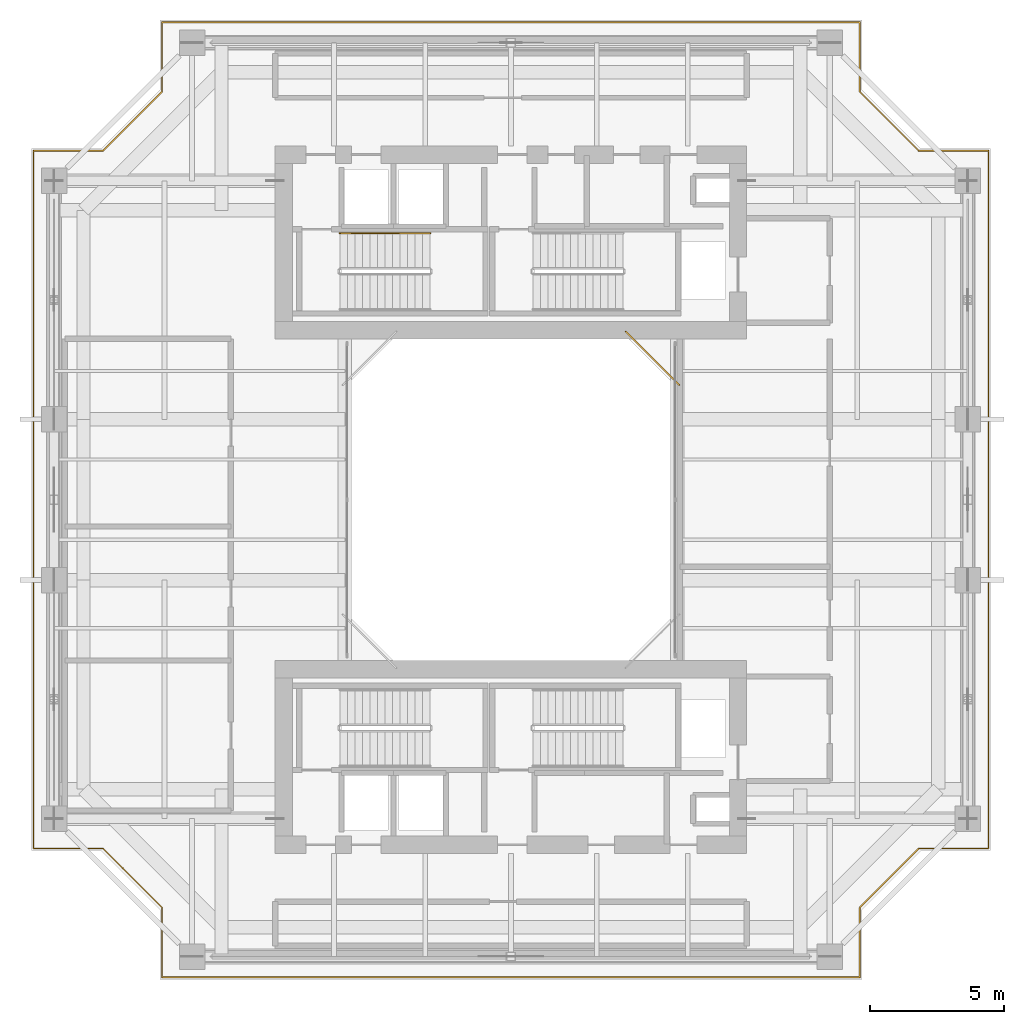
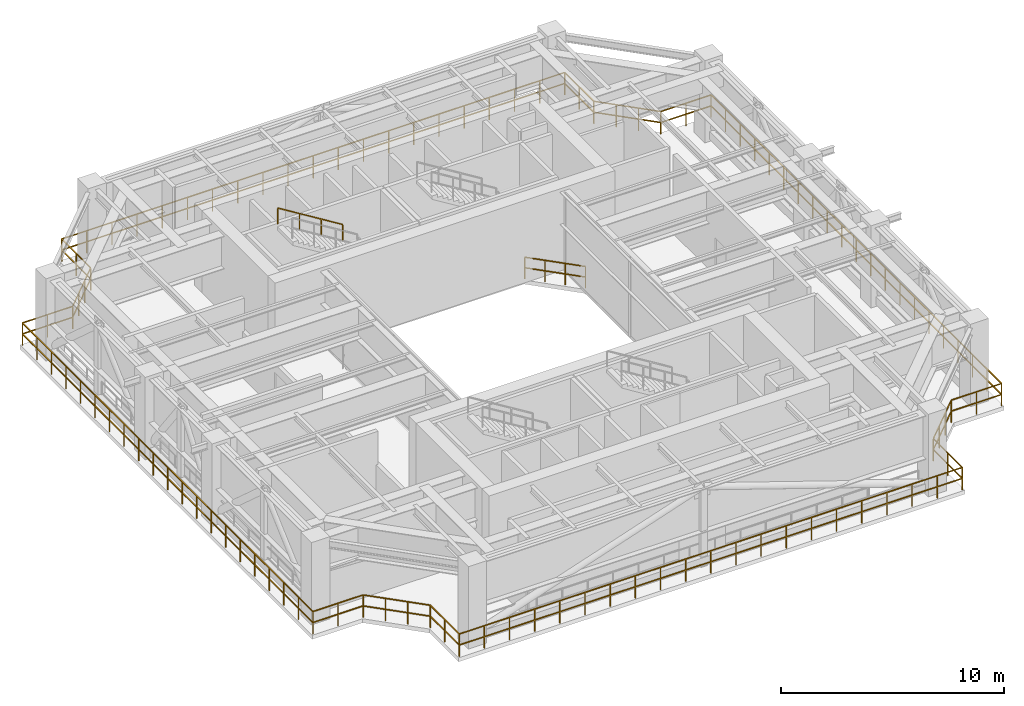
# One storey, part 10 of 11: 3 railings.
"""IFC4 building model written with IfcOpenShell, lengths in metres."""

from ifc_helpers import new_model, si_unit, direction, frame, origin, origin_2d, place, context, subcontext, project, spatial, rectangle, extrude, material, type_object, element, save


model = new_model("IFC4")

# Units and contexts
model_context = context("Model", 3, precision=1e-05, world=origin(), true_north=direction((0.0, 1.0)))
body_context = subcontext(model_context, "Body", "Model", "MODEL_VIEW")
ifc_project = project(units=[si_unit("LENGTHUNIT", "METRE"), si_unit("AREAUNIT", "SQUARE_METRE"), si_unit("VOLUMEUNIT", "CUBIC_METRE"), si_unit("PLANEANGLEUNIT", "RADIAN"), si_unit("MASSUNIT", "GRAM", prefix="KILO"), si_unit("THERMODYNAMICTEMPERATUREUNIT", "KELVIN"), si_unit("POWERUNIT", "WATT")], contexts=[model_context])

# Site, building, storey
site_placement = place(None, origin())
site = spatial("IfcSite", under=ifc_project, at=site_placement, CompositionType="ELEMENT")
building_placement = place(site_placement, origin())
building = spatial("IfcBuilding", under=site, at=building_placement, Name="Qiaomeng Ring Towers", CompositionType="ELEMENT")
storey_placement = place(building_placement, frame((0.0, 0.0, 186.0)))
storey = spatial("IfcBuildingStorey", under=building, at=storey_placement, Name="L54", CompositionType="ELEMENT", Elevation=186.0)

# Railings
ifc_material_1 = material(Name="Low-E pale-green laminated safety glass", Category="glass")
railing_type_1 = type_object("IfcRailingType", Name="ARC-RL-BAL1", PredefinedType="BALUSTRADE", material=ifc_material_1)
railing_1_placement = place(storey_placement, frame((25.280029296875, 27.280029296875, 0.0)))
element("IfcRailing", 1, at=railing_1_placement, inside=storey, type_object=railing_type_1, Name="L54 Balustrade ARC-BAL-WELL1-L54-2", PredefinedType="BALUSTRADE", context=body_context, shape_type="SweptSolid", body=[
    extrude(rectangle(XDim=0.048095703125, YDim=0.048095703125, at=origin_2d()), frame((0.0, 0.0, 1.17578125), z_axis=(-0.707106781187, 0.707106781187, 0.0), x_axis=(-0.707106781187, -0.707106781187, 0.0)), (0.0, 0.0, 1.0), 2.828369140625),
    extrude(rectangle(XDim=0.048095703125, YDim=0.048095703125, at=origin_2d()), frame((0.0, 0.0, 0.60009765625), z_axis=(-0.707106781187, 0.707106781187, 0.0), x_axis=(-0.707106781187, -0.707106781187, 0.0)), (0.0, 0.0, 1.0), 2.828369140625),
    extrude(rectangle(XDim=0.0419921875, YDim=0.0419921875, at=origin_2d()), origin(), (0.0, 0.0, 1.0), 1.15185546875),
    extrude(rectangle(XDim=0.0419921875, YDim=0.0419921875, at=origin_2d()), frame((-0.666748046875, 0.666748046875, 0.0)), (0.0, 0.0, 1.0), 1.15185546875),
    extrude(rectangle(XDim=0.0419921875, YDim=0.0419921875, at=origin_2d()), frame((-1.333251953125, 1.333251953125, 0.0)), (0.0, 0.0, 1.0), 1.15185546875),
    extrude(rectangle(XDim=0.0419921875, YDim=0.0419921875, at=origin_2d()), frame((-2.0, 2.0, 0.0)), (0.0, 0.0, 1.0), 1.15185546875),
])
ifc_material_2 = material(Name="Stainless steel 316", Category="steel")
railing_type_2 = type_object("IfcRailingType", Name="ARC-RL-BAL2", PredefinedType="BALUSTRADE", material=ifc_material_2)
railing_2_placement = place(storey_placement, frame((5.97998046875, 5.179931640625, 0.0)))
element("IfcRailing", 2, at=railing_2_placement, inside=storey, type_object=railing_type_2, Name="L54 Balustrade ARC-BAL-REF-RING-L54", PredefinedType="BALUSTRADE", context=body_context, shape_type="SweptSolid", body=[
    extrude(rectangle(XDim=0.048095703125, YDim=0.048095703125, at=origin_2d()), frame((0.0, 0.0, 1.22607421875), z_axis=(1.0, 0.0, 0.0), x_axis=(0.0, 1.0, 0.0)), (0.0, 0.0, 1.0), 26.0400390625),
    extrude(rectangle(XDim=0.048095703125, YDim=0.048095703125, at=origin_2d()), frame((0.0, 0.0, 0.625), z_axis=(1.0, 0.0, 0.0), x_axis=(0.0, 1.0, 0.0)), (0.0, 0.0, 1.0), 26.0400390625),
    extrude(rectangle(XDim=0.048095703125, YDim=0.048095703125, at=origin_2d()), frame((26.0400390625, 0.0, 1.22607421875), z_axis=(0.0, 1.0, 0.0), x_axis=(-1.0, 0.0, 0.0)), (0.0, 0.0, 1.0), 2.60009765625),
    extrude(rectangle(XDim=0.048095703125, YDim=0.048095703125, at=origin_2d()), frame((26.0400390625, 0.0, 0.625), z_axis=(0.0, 1.0, 0.0), x_axis=(-1.0, 0.0, 0.0)), (0.0, 0.0, 1.0), 2.60009765625),
    extrude(rectangle(XDim=0.048095703125, YDim=0.048095703125, at=origin_2d()), frame((26.0400390625, 2.60009765625, 1.22607421875), z_axis=(0.707106781187, 0.707106781187, 0.0), x_axis=(-0.707106781187, 0.707106781187, 0.0)), (0.0, 0.0, 1.0), 3.111083984375),
    extrude(rectangle(XDim=0.048095703125, YDim=0.048095703125, at=origin_2d()), frame((26.0400390625, 2.60009765625, 0.625), z_axis=(0.707106781187, 0.707106781187, 0.0), x_axis=(-0.707106781187, 0.707106781187, 0.0)), (0.0, 0.0, 1.0), 3.111083984375),
    extrude(rectangle(XDim=0.048095703125, YDim=0.048095703125, at=origin_2d()), frame((28.239990234375, 4.800048828125, 1.22607421875), z_axis=(1.0, 0.0, 0.0), x_axis=(0.0, 1.0, 0.0)), (0.0, 0.0, 1.0), 2.60009765625),
    extrude(rectangle(XDim=0.048095703125, YDim=0.048095703125, at=origin_2d()), frame((28.239990234375, 4.800048828125, 0.625), z_axis=(1.0, 0.0, 0.0), x_axis=(0.0, 1.0, 0.0)), (0.0, 0.0, 1.0), 2.60009765625),
    extrude(rectangle(XDim=0.048095703125, YDim=0.048095703125, at=origin_2d()), frame((30.840087890625, 4.800048828125, 1.22607421875), z_axis=(0.0, 1.0, 0.0), x_axis=(-1.0, 0.0, 0.0)), (0.0, 0.0, 1.0), 26.0400390625),
    extrude(rectangle(XDim=0.048095703125, YDim=0.048095703125, at=origin_2d()), frame((30.840087890625, 4.800048828125, 0.625), z_axis=(0.0, 1.0, 0.0), x_axis=(-1.0, 0.0, 0.0)), (0.0, 0.0, 1.0), 26.0400390625),
    extrude(rectangle(XDim=0.048095703125, YDim=0.048095703125, at=origin_2d()), frame((30.840087890625, 30.840087890625, 1.22607421875), z_axis=(-1.0, 0.0, 0.0), x_axis=(0.0, -1.0, 0.0)), (0.0, 0.0, 1.0), 2.60009765625),
    extrude(rectangle(XDim=0.048095703125, YDim=0.048095703125, at=origin_2d()), frame((30.840087890625, 30.840087890625, 0.625), z_axis=(-1.0, 0.0, 0.0), x_axis=(0.0, -1.0, 0.0)), (0.0, 0.0, 1.0), 2.60009765625),
    extrude(rectangle(XDim=0.048095703125, YDim=0.048095703125, at=origin_2d()), frame((28.239990234375, 30.840087890625, 1.22607421875), z_axis=(-0.707106781187, 0.707106781187, 0.0), x_axis=(-0.707106781187, -0.707106781187, 0.0)), (0.0, 0.0, 1.0), 3.111083984375),
    extrude(rectangle(XDim=0.048095703125, YDim=0.048095703125, at=origin_2d()), frame((28.239990234375, 30.840087890625, 0.625), z_axis=(-0.707106781187, 0.707106781187, 0.0), x_axis=(-0.707106781187, -0.707106781187, 0.0)), (0.0, 0.0, 1.0), 3.111083984375),
    extrude(rectangle(XDim=0.048095703125, YDim=0.048095703125, at=origin_2d()), frame((26.0400390625, 33.0400390625, 1.22607421875), z_axis=(0.0, 1.0, 0.0), x_axis=(-1.0, 0.0, 0.0)), (0.0, 0.0, 1.0), 2.60009765625),
    extrude(rectangle(XDim=0.048095703125, YDim=0.048095703125, at=origin_2d()), frame((26.0400390625, 33.0400390625, 0.625), z_axis=(0.0, 1.0, 0.0), x_axis=(-1.0, 0.0, 0.0)), (0.0, 0.0, 1.0), 2.60009765625),
    extrude(rectangle(XDim=0.048095703125, YDim=0.048095703125, at=origin_2d()), frame((26.0400390625, 35.64013671875, 1.22607421875), z_axis=(-1.0, 0.0, 0.0), x_axis=(0.0, -1.0, 0.0)), (0.0, 0.0, 1.0), 26.0400390625),
    extrude(rectangle(XDim=0.048095703125, YDim=0.048095703125, at=origin_2d()), frame((26.0400390625, 35.64013671875, 0.625), z_axis=(-1.0, 0.0, 0.0), x_axis=(0.0, -1.0, 0.0)), (0.0, 0.0, 1.0), 26.0400390625),
    extrude(rectangle(XDim=0.048095703125, YDim=0.048095703125, at=origin_2d()), frame((0.0, 35.64013671875, 1.22607421875), z_axis=(0.0, -1.0, 0.0), x_axis=(1.0, 0.0, 0.0)), (0.0, 0.0, 1.0), 2.60009765625),
    extrude(rectangle(XDim=0.048095703125, YDim=0.048095703125, at=origin_2d()), frame((0.0, 35.64013671875, 0.625), z_axis=(0.0, -1.0, 0.0), x_axis=(1.0, 0.0, 0.0)), (0.0, 0.0, 1.0), 2.60009765625),
    extrude(rectangle(XDim=0.048095703125, YDim=0.048095703125, at=origin_2d()), frame((0.0, 33.0400390625, 1.22607421875), z_axis=(-0.707106781187, -0.707106781187, 0.0), x_axis=(0.707106781187, -0.707106781187, 0.0)), (0.0, 0.0, 1.0), 3.111083984375),
    extrude(rectangle(XDim=0.048095703125, YDim=0.048095703125, at=origin_2d()), frame((0.0, 33.0400390625, 0.625), z_axis=(-0.707106781187, -0.707106781187, 0.0), x_axis=(0.707106781187, -0.707106781187, 0.0)), (0.0, 0.0, 1.0), 3.111083984375),
    extrude(rectangle(XDim=0.048095703125, YDim=0.048095703125, at=origin_2d()), frame((-2.199951171875, 30.840087890625, 1.22607421875), z_axis=(-1.0, 0.0, 0.0), x_axis=(0.0, -1.0, 0.0)), (0.0, 0.0, 1.0), 2.60009765625),
    extrude(rectangle(XDim=0.048095703125, YDim=0.048095703125, at=origin_2d()), frame((-2.199951171875, 30.840087890625, 0.625), z_axis=(-1.0, 0.0, 0.0), x_axis=(0.0, -1.0, 0.0)), (0.0, 0.0, 1.0), 2.60009765625),
    extrude(rectangle(XDim=0.048095703125, YDim=0.048095703125, at=origin_2d()), frame((-4.800048828125, 30.840087890625, 1.22607421875), z_axis=(0.0, -1.0, 0.0), x_axis=(1.0, 0.0, 0.0)), (0.0, 0.0, 1.0), 26.0400390625),
    extrude(rectangle(XDim=0.048095703125, YDim=0.048095703125, at=origin_2d()), frame((-4.800048828125, 30.840087890625, 0.625), z_axis=(0.0, -1.0, 0.0), x_axis=(1.0, 0.0, 0.0)), (0.0, 0.0, 1.0), 26.0400390625),
    extrude(rectangle(XDim=0.048095703125, YDim=0.048095703125, at=origin_2d()), frame((-4.800048828125, 4.800048828125, 1.22607421875), z_axis=(1.0, 0.0, 0.0), x_axis=(0.0, 1.0, 0.0)), (0.0, 0.0, 1.0), 2.60009765625),
    extrude(rectangle(XDim=0.048095703125, YDim=0.048095703125, at=origin_2d()), frame((-4.800048828125, 4.800048828125, 0.625), z_axis=(1.0, 0.0, 0.0), x_axis=(0.0, 1.0, 0.0)), (0.0, 0.0, 1.0), 2.60009765625),
    extrude(rectangle(XDim=0.048095703125, YDim=0.048095703125, at=origin_2d()), frame((-2.199951171875, 4.800048828125, 1.22607421875), z_axis=(0.707106781187, -0.707106781187, 0.0), x_axis=(0.707106781187, 0.707106781187, 0.0)), (0.0, 0.0, 1.0), 3.111083984375),
    extrude(rectangle(XDim=0.048095703125, YDim=0.048095703125, at=origin_2d()), frame((-2.199951171875, 4.800048828125, 0.625), z_axis=(0.707106781187, -0.707106781187, 0.0), x_axis=(0.707106781187, 0.707106781187, 0.0)), (0.0, 0.0, 1.0), 3.111083984375),
    extrude(rectangle(XDim=0.048095703125, YDim=0.048095703125, at=origin_2d()), frame((0.0, 2.60009765625, 1.22607421875), z_axis=(0.0, -1.0, 0.0), x_axis=(1.0, 0.0, 0.0)), (0.0, 0.0, 1.0), 2.60009765625),
    extrude(rectangle(XDim=0.048095703125, YDim=0.048095703125, at=origin_2d()), frame((0.0, 2.60009765625, 0.625), z_axis=(0.0, -1.0, 0.0), x_axis=(1.0, 0.0, 0.0)), (0.0, 0.0, 1.0), 2.60009765625),
    extrude(rectangle(XDim=0.0419921875, YDim=0.0419921875, at=origin_2d()), origin(), (0.0, 0.0, 1.0), 1.201904296875),
    extrude(rectangle(XDim=0.0419921875, YDim=0.0419921875, at=origin_2d()), frame((1.302001953125, 0.0, 0.0)), (0.0, 0.0, 1.0), 1.201904296875),
    extrude(rectangle(XDim=0.0419921875, YDim=0.0419921875, at=origin_2d()), frame((2.60400390625, 0.0, 0.0)), (0.0, 0.0, 1.0), 1.201904296875),
    extrude(rectangle(XDim=0.0419921875, YDim=0.0419921875, at=origin_2d()), frame((3.906005859375, 0.0, 0.0)), (0.0, 0.0, 1.0), 1.201904296875),
    extrude(rectangle(XDim=0.0419921875, YDim=0.0419921875, at=origin_2d()), frame((5.2080078125, 0.0, 0.0)), (0.0, 0.0, 1.0), 1.201904296875),
    extrude(rectangle(XDim=0.0419921875, YDim=0.0419921875, at=origin_2d()), frame((6.510009765625, 0.0, 0.0)), (0.0, 0.0, 1.0), 1.201904296875),
    extrude(rectangle(XDim=0.0419921875, YDim=0.0419921875, at=origin_2d()), frame((7.81201171875, 0.0, 0.0)), (0.0, 0.0, 1.0), 1.201904296875),
    extrude(rectangle(XDim=0.0419921875, YDim=0.0419921875, at=origin_2d()), frame((9.114013671875, 0.0, 0.0)), (0.0, 0.0, 1.0), 1.201904296875),
    extrude(rectangle(XDim=0.0419921875, YDim=0.0419921875, at=origin_2d()), frame((10.416015625, 0.0, 0.0)), (0.0, 0.0, 1.0), 1.201904296875),
    extrude(rectangle(XDim=0.0419921875, YDim=0.0419921875, at=origin_2d()), frame((11.718017578125, 0.0, 0.0)), (0.0, 0.0, 1.0), 1.201904296875),
    extrude(rectangle(XDim=0.0419921875, YDim=0.0419921875, at=origin_2d()), frame((13.02001953125, 0.0, 0.0)), (0.0, 0.0, 1.0), 1.201904296875),
    extrude(rectangle(XDim=0.0419921875, YDim=0.0419921875, at=origin_2d()), frame((14.322021484375, 0.0, 0.0)), (0.0, 0.0, 1.0), 1.201904296875),
    extrude(rectangle(XDim=0.0419921875, YDim=0.0419921875, at=origin_2d()), frame((15.6240234375, 0.0, 0.0)), (0.0, 0.0, 1.0), 1.201904296875),
    extrude(rectangle(XDim=0.0419921875, YDim=0.0419921875, at=origin_2d()), frame((16.926025390625, 0.0, 0.0)), (0.0, 0.0, 1.0), 1.201904296875),
    extrude(rectangle(XDim=0.0419921875, YDim=0.0419921875, at=origin_2d()), frame((18.22802734375, 0.0, 0.0)), (0.0, 0.0, 1.0), 1.201904296875),
    extrude(rectangle(XDim=0.0419921875, YDim=0.0419921875, at=origin_2d()), frame((19.530029296875, 0.0, 0.0)), (0.0, 0.0, 1.0), 1.201904296875),
    extrude(rectangle(XDim=0.0419921875, YDim=0.0419921875, at=origin_2d()), frame((20.83203125, 0.0, 0.0)), (0.0, 0.0, 1.0), 1.201904296875),
    extrude(rectangle(XDim=0.0419921875, YDim=0.0419921875, at=origin_2d()), frame((22.134033203125, 0.0, 0.0)), (0.0, 0.0, 1.0), 1.201904296875),
    extrude(rectangle(XDim=0.0419921875, YDim=0.0419921875, at=origin_2d()), frame((23.43603515625, 0.0, 0.0)), (0.0, 0.0, 1.0), 1.201904296875),
    extrude(rectangle(XDim=0.0419921875, YDim=0.0419921875, at=origin_2d()), frame((24.738037109375, 0.0, 0.0)), (0.0, 0.0, 1.0), 1.201904296875),
    extrude(rectangle(XDim=0.0419921875, YDim=0.0419921875, at=origin_2d()), frame((26.0400390625, 0.0, 0.0)), (0.0, 0.0, 1.0), 1.201904296875),
    extrude(rectangle(XDim=0.0419921875, YDim=0.0419921875, at=origin_2d()), frame((26.0400390625, 1.300048828125, 0.0)), (0.0, 0.0, 1.0), 1.201904296875),
    extrude(rectangle(XDim=0.0419921875, YDim=0.0419921875, at=origin_2d()), frame((26.0400390625, 2.60009765625, 0.0)), (0.0, 0.0, 1.0), 1.201904296875),
    extrude(rectangle(XDim=0.0419921875, YDim=0.0419921875, at=origin_2d()), frame((26.7734375, 3.33349609375, 0.0)), (0.0, 0.0, 1.0), 1.201904296875),
    extrude(rectangle(XDim=0.0419921875, YDim=0.0419921875, at=origin_2d()), frame((27.506591796875, 4.066650390625, 0.0)), (0.0, 0.0, 1.0), 1.201904296875),
    extrude(rectangle(XDim=0.0419921875, YDim=0.0419921875, at=origin_2d()), frame((28.239990234375, 4.800048828125, 0.0)), (0.0, 0.0, 1.0), 1.201904296875),
    extrude(rectangle(XDim=0.0419921875, YDim=0.0419921875, at=origin_2d()), frame((29.5400390625, 4.800048828125, 0.0)), (0.0, 0.0, 1.0), 1.201904296875),
    extrude(rectangle(XDim=0.0419921875, YDim=0.0419921875, at=origin_2d()), frame((30.840087890625, 4.800048828125, 0.0)), (0.0, 0.0, 1.0), 1.201904296875),
    extrude(rectangle(XDim=0.0419921875, YDim=0.0419921875, at=origin_2d()), frame((30.840087890625, 6.10205078125, 0.0)), (0.0, 0.0, 1.0), 1.201904296875),
    extrude(rectangle(XDim=0.0419921875, YDim=0.0419921875, at=origin_2d()), frame((30.840087890625, 7.404052734375, 0.0)), (0.0, 0.0, 1.0), 1.201904296875),
    extrude(rectangle(XDim=0.0419921875, YDim=0.0419921875, at=origin_2d()), frame((30.840087890625, 8.7060546875, 0.0)), (0.0, 0.0, 1.0), 1.201904296875),
    extrude(rectangle(XDim=0.0419921875, YDim=0.0419921875, at=origin_2d()), frame((30.840087890625, 10.008056640625, 0.0)), (0.0, 0.0, 1.0), 1.201904296875),
    extrude(rectangle(XDim=0.0419921875, YDim=0.0419921875, at=origin_2d()), frame((30.840087890625, 11.31005859375, 0.0)), (0.0, 0.0, 1.0), 1.201904296875),
    extrude(rectangle(XDim=0.0419921875, YDim=0.0419921875, at=origin_2d()), frame((30.840087890625, 12.612060546875, 0.0)), (0.0, 0.0, 1.0), 1.201904296875),
    extrude(rectangle(XDim=0.0419921875, YDim=0.0419921875, at=origin_2d()), frame((30.840087890625, 13.9140625, 0.0)), (0.0, 0.0, 1.0), 1.201904296875),
    extrude(rectangle(XDim=0.0419921875, YDim=0.0419921875, at=origin_2d()), frame((30.840087890625, 15.216064453125, 0.0)), (0.0, 0.0, 1.0), 1.201904296875),
    extrude(rectangle(XDim=0.0419921875, YDim=0.0419921875, at=origin_2d()), frame((30.840087890625, 16.51806640625, 0.0)), (0.0, 0.0, 1.0), 1.201904296875),
    extrude(rectangle(XDim=0.0419921875, YDim=0.0419921875, at=origin_2d()), frame((30.840087890625, 17.820068359375, 0.0)), (0.0, 0.0, 1.0), 1.201904296875),
    extrude(rectangle(XDim=0.0419921875, YDim=0.0419921875, at=origin_2d()), frame((30.840087890625, 19.1220703125, 0.0)), (0.0, 0.0, 1.0), 1.201904296875),
    extrude(rectangle(XDim=0.0419921875, YDim=0.0419921875, at=origin_2d()), frame((30.840087890625, 20.424072265625, 0.0)), (0.0, 0.0, 1.0), 1.201904296875),
    extrude(rectangle(XDim=0.0419921875, YDim=0.0419921875, at=origin_2d()), frame((30.840087890625, 21.72607421875, 0.0)), (0.0, 0.0, 1.0), 1.201904296875),
    extrude(rectangle(XDim=0.0419921875, YDim=0.0419921875, at=origin_2d()), frame((30.840087890625, 23.028076171875, 0.0)), (0.0, 0.0, 1.0), 1.201904296875),
    extrude(rectangle(XDim=0.0419921875, YDim=0.0419921875, at=origin_2d()), frame((30.840087890625, 24.330078125, 0.0)), (0.0, 0.0, 1.0), 1.201904296875),
    extrude(rectangle(XDim=0.0419921875, YDim=0.0419921875, at=origin_2d()), frame((30.840087890625, 25.632080078125, 0.0)), (0.0, 0.0, 1.0), 1.201904296875),
    extrude(rectangle(XDim=0.0419921875, YDim=0.0419921875, at=origin_2d()), frame((30.840087890625, 26.93408203125, 0.0)), (0.0, 0.0, 1.0), 1.201904296875),
    extrude(rectangle(XDim=0.0419921875, YDim=0.0419921875, at=origin_2d()), frame((30.840087890625, 28.236083984375, 0.0)), (0.0, 0.0, 1.0), 1.201904296875),
    extrude(rectangle(XDim=0.0419921875, YDim=0.0419921875, at=origin_2d()), frame((30.840087890625, 29.5380859375, 0.0)), (0.0, 0.0, 1.0), 1.201904296875),
    extrude(rectangle(XDim=0.0419921875, YDim=0.0419921875, at=origin_2d()), frame((30.840087890625, 30.840087890625, 0.0)), (0.0, 0.0, 1.0), 1.201904296875),
    extrude(rectangle(XDim=0.0419921875, YDim=0.0419921875, at=origin_2d()), frame((29.5400390625, 30.840087890625, 0.0)), (0.0, 0.0, 1.0), 1.201904296875),
    extrude(rectangle(XDim=0.0419921875, YDim=0.0419921875, at=origin_2d()), frame((28.239990234375, 30.840087890625, 0.0)), (0.0, 0.0, 1.0), 1.201904296875),
    extrude(rectangle(XDim=0.0419921875, YDim=0.0419921875, at=origin_2d()), frame((27.506591796875, 31.573486328125, 0.0)), (0.0, 0.0, 1.0), 1.201904296875),
    extrude(rectangle(XDim=0.0419921875, YDim=0.0419921875, at=origin_2d()), frame((26.7734375, 32.306640625, 0.0)), (0.0, 0.0, 1.0), 1.201904296875),
    extrude(rectangle(XDim=0.0419921875, YDim=0.0419921875, at=origin_2d()), frame((26.0400390625, 33.0400390625, 0.0)), (0.0, 0.0, 1.0), 1.201904296875),
    extrude(rectangle(XDim=0.0419921875, YDim=0.0419921875, at=origin_2d()), frame((26.0400390625, 34.340087890625, 0.0)), (0.0, 0.0, 1.0), 1.201904296875),
    extrude(rectangle(XDim=0.0419921875, YDim=0.0419921875, at=origin_2d()), frame((26.0400390625, 35.64013671875, 0.0)), (0.0, 0.0, 1.0), 1.201904296875),
    extrude(rectangle(XDim=0.0419921875, YDim=0.0419921875, at=origin_2d()), frame((24.738037109375, 35.64013671875, 0.0)), (0.0, 0.0, 1.0), 1.201904296875),
    extrude(rectangle(XDim=0.0419921875, YDim=0.0419921875, at=origin_2d()), frame((23.43603515625, 35.64013671875, 0.0)), (0.0, 0.0, 1.0), 1.201904296875),
    extrude(rectangle(XDim=0.0419921875, YDim=0.0419921875, at=origin_2d()), frame((22.134033203125, 35.64013671875, 0.0)), (0.0, 0.0, 1.0), 1.201904296875),
    extrude(rectangle(XDim=0.0419921875, YDim=0.0419921875, at=origin_2d()), frame((20.83203125, 35.64013671875, 0.0)), (0.0, 0.0, 1.0), 1.201904296875),
    extrude(rectangle(XDim=0.0419921875, YDim=0.0419921875, at=origin_2d()), frame((19.530029296875, 35.64013671875, 0.0)), (0.0, 0.0, 1.0), 1.201904296875),
    extrude(rectangle(XDim=0.0419921875, YDim=0.0419921875, at=origin_2d()), frame((18.22802734375, 35.64013671875, 0.0)), (0.0, 0.0, 1.0), 1.201904296875),
    extrude(rectangle(XDim=0.0419921875, YDim=0.0419921875, at=origin_2d()), frame((16.926025390625, 35.64013671875, 0.0)), (0.0, 0.0, 1.0), 1.201904296875),
    extrude(rectangle(XDim=0.0419921875, YDim=0.0419921875, at=origin_2d()), frame((15.6240234375, 35.64013671875, 0.0)), (0.0, 0.0, 1.0), 1.201904296875),
    extrude(rectangle(XDim=0.0419921875, YDim=0.0419921875, at=origin_2d()), frame((14.322021484375, 35.64013671875, 0.0)), (0.0, 0.0, 1.0), 1.201904296875),
    extrude(rectangle(XDim=0.0419921875, YDim=0.0419921875, at=origin_2d()), frame((13.02001953125, 35.64013671875, 0.0)), (0.0, 0.0, 1.0), 1.201904296875),
    extrude(rectangle(XDim=0.0419921875, YDim=0.0419921875, at=origin_2d()), frame((11.718017578125, 35.64013671875, 0.0)), (0.0, 0.0, 1.0), 1.201904296875),
    extrude(rectangle(XDim=0.0419921875, YDim=0.0419921875, at=origin_2d()), frame((10.416015625, 35.64013671875, 0.0)), (0.0, 0.0, 1.0), 1.201904296875),
    extrude(rectangle(XDim=0.0419921875, YDim=0.0419921875, at=origin_2d()), frame((9.114013671875, 35.64013671875, 0.0)), (0.0, 0.0, 1.0), 1.201904296875),
    extrude(rectangle(XDim=0.0419921875, YDim=0.0419921875, at=origin_2d()), frame((7.81201171875, 35.64013671875, 0.0)), (0.0, 0.0, 1.0), 1.201904296875),
    extrude(rectangle(XDim=0.0419921875, YDim=0.0419921875, at=origin_2d()), frame((6.510009765625, 35.64013671875, 0.0)), (0.0, 0.0, 1.0), 1.201904296875),
    extrude(rectangle(XDim=0.0419921875, YDim=0.0419921875, at=origin_2d()), frame((5.2080078125, 35.64013671875, 0.0)), (0.0, 0.0, 1.0), 1.201904296875),
    extrude(rectangle(XDim=0.0419921875, YDim=0.0419921875, at=origin_2d()), frame((3.906005859375, 35.64013671875, 0.0)), (0.0, 0.0, 1.0), 1.201904296875),
    extrude(rectangle(XDim=0.0419921875, YDim=0.0419921875, at=origin_2d()), frame((2.60400390625, 35.64013671875, 0.0)), (0.0, 0.0, 1.0), 1.201904296875),
    extrude(rectangle(XDim=0.0419921875, YDim=0.0419921875, at=origin_2d()), frame((1.302001953125, 35.64013671875, 0.0)), (0.0, 0.0, 1.0), 1.201904296875),
    extrude(rectangle(XDim=0.0419921875, YDim=0.0419921875, at=origin_2d()), frame((0.0, 35.64013671875, 0.0)), (0.0, 0.0, 1.0), 1.201904296875),
    extrude(rectangle(XDim=0.0419921875, YDim=0.0419921875, at=origin_2d()), frame((0.0, 34.340087890625, 0.0)), (0.0, 0.0, 1.0), 1.201904296875),
    extrude(rectangle(XDim=0.0419921875, YDim=0.0419921875, at=origin_2d()), frame((0.0, 33.0400390625, 0.0)), (0.0, 0.0, 1.0), 1.201904296875),
    extrude(rectangle(XDim=0.0419921875, YDim=0.0419921875, at=origin_2d()), frame((-0.7333984375, 32.306640625, 0.0)), (0.0, 0.0, 1.0), 1.201904296875),
    extrude(rectangle(XDim=0.0419921875, YDim=0.0419921875, at=origin_2d()), frame((-1.466552734375, 31.573486328125, 0.0)), (0.0, 0.0, 1.0), 1.201904296875),
    extrude(rectangle(XDim=0.0419921875, YDim=0.0419921875, at=origin_2d()), frame((-2.199951171875, 30.840087890625, 0.0)), (0.0, 0.0, 1.0), 1.201904296875),
    extrude(rectangle(XDim=0.0419921875, YDim=0.0419921875, at=origin_2d()), frame((-3.5, 30.840087890625, 0.0)), (0.0, 0.0, 1.0), 1.201904296875),
    extrude(rectangle(XDim=0.0419921875, YDim=0.0419921875, at=origin_2d()), frame((-4.800048828125, 30.840087890625, 0.0)), (0.0, 0.0, 1.0), 1.201904296875),
    extrude(rectangle(XDim=0.0419921875, YDim=0.0419921875, at=origin_2d()), frame((-4.800048828125, 29.5380859375, 0.0)), (0.0, 0.0, 1.0), 1.201904296875),
    extrude(rectangle(XDim=0.0419921875, YDim=0.0419921875, at=origin_2d()), frame((-4.800048828125, 28.236083984375, 0.0)), (0.0, 0.0, 1.0), 1.201904296875),
    extrude(rectangle(XDim=0.0419921875, YDim=0.0419921875, at=origin_2d()), frame((-4.800048828125, 26.93408203125, 0.0)), (0.0, 0.0, 1.0), 1.201904296875),
    extrude(rectangle(XDim=0.0419921875, YDim=0.0419921875, at=origin_2d()), frame((-4.800048828125, 25.632080078125, 0.0)), (0.0, 0.0, 1.0), 1.201904296875),
    extrude(rectangle(XDim=0.0419921875, YDim=0.0419921875, at=origin_2d()), frame((-4.800048828125, 24.330078125, 0.0)), (0.0, 0.0, 1.0), 1.201904296875),
    extrude(rectangle(XDim=0.0419921875, YDim=0.0419921875, at=origin_2d()), frame((-4.800048828125, 23.028076171875, 0.0)), (0.0, 0.0, 1.0), 1.201904296875),
    extrude(rectangle(XDim=0.0419921875, YDim=0.0419921875, at=origin_2d()), frame((-4.800048828125, 21.72607421875, 0.0)), (0.0, 0.0, 1.0), 1.201904296875),
    extrude(rectangle(XDim=0.0419921875, YDim=0.0419921875, at=origin_2d()), frame((-4.800048828125, 20.424072265625, 0.0)), (0.0, 0.0, 1.0), 1.201904296875),
    extrude(rectangle(XDim=0.0419921875, YDim=0.0419921875, at=origin_2d()), frame((-4.800048828125, 19.1220703125, 0.0)), (0.0, 0.0, 1.0), 1.201904296875),
    extrude(rectangle(XDim=0.0419921875, YDim=0.0419921875, at=origin_2d()), frame((-4.800048828125, 17.820068359375, 0.0)), (0.0, 0.0, 1.0), 1.201904296875),
    extrude(rectangle(XDim=0.0419921875, YDim=0.0419921875, at=origin_2d()), frame((-4.800048828125, 16.51806640625, 0.0)), (0.0, 0.0, 1.0), 1.201904296875),
    extrude(rectangle(XDim=0.0419921875, YDim=0.0419921875, at=origin_2d()), frame((-4.800048828125, 15.216064453125, 0.0)), (0.0, 0.0, 1.0), 1.201904296875),
    extrude(rectangle(XDim=0.0419921875, YDim=0.0419921875, at=origin_2d()), frame((-4.800048828125, 13.9140625, 0.0)), (0.0, 0.0, 1.0), 1.201904296875),
    extrude(rectangle(XDim=0.0419921875, YDim=0.0419921875, at=origin_2d()), frame((-4.800048828125, 12.612060546875, 0.0)), (0.0, 0.0, 1.0), 1.201904296875),
    extrude(rectangle(XDim=0.0419921875, YDim=0.0419921875, at=origin_2d()), frame((-4.800048828125, 11.31005859375, 0.0)), (0.0, 0.0, 1.0), 1.201904296875),
    extrude(rectangle(XDim=0.0419921875, YDim=0.0419921875, at=origin_2d()), frame((-4.800048828125, 10.008056640625, 0.0)), (0.0, 0.0, 1.0), 1.201904296875),
    extrude(rectangle(XDim=0.0419921875, YDim=0.0419921875, at=origin_2d()), frame((-4.800048828125, 8.7060546875, 0.0)), (0.0, 0.0, 1.0), 1.201904296875),
    extrude(rectangle(XDim=0.0419921875, YDim=0.0419921875, at=origin_2d()), frame((-4.800048828125, 7.404052734375, 0.0)), (0.0, 0.0, 1.0), 1.201904296875),
    extrude(rectangle(XDim=0.0419921875, YDim=0.0419921875, at=origin_2d()), frame((-4.800048828125, 6.10205078125, 0.0)), (0.0, 0.0, 1.0), 1.201904296875),
    extrude(rectangle(XDim=0.0419921875, YDim=0.0419921875, at=origin_2d()), frame((-4.800048828125, 4.800048828125, 0.0)), (0.0, 0.0, 1.0), 1.201904296875),
    extrude(rectangle(XDim=0.0419921875, YDim=0.0419921875, at=origin_2d()), frame((-3.5, 4.800048828125, 0.0)), (0.0, 0.0, 1.0), 1.201904296875),
    extrude(rectangle(XDim=0.0419921875, YDim=0.0419921875, at=origin_2d()), frame((-2.199951171875, 4.800048828125, 0.0)), (0.0, 0.0, 1.0), 1.201904296875),
    extrude(rectangle(XDim=0.0419921875, YDim=0.0419921875, at=origin_2d()), frame((-1.466552734375, 4.066650390625, 0.0)), (0.0, 0.0, 1.0), 1.201904296875),
    extrude(rectangle(XDim=0.0419921875, YDim=0.0419921875, at=origin_2d()), frame((-0.7333984375, 3.33349609375, 0.0)), (0.0, 0.0, 1.0), 1.201904296875),
    extrude(rectangle(XDim=0.0419921875, YDim=0.0419921875, at=origin_2d()), frame((0.0, 2.60009765625, 0.0)), (0.0, 0.0, 1.0), 1.201904296875),
    extrude(rectangle(XDim=0.0419921875, YDim=0.0419921875, at=origin_2d()), frame((0.0, 1.300048828125, 0.0)), (0.0, 0.0, 1.0), 1.201904296875),
])
railing_type_3 = type_object("IfcRailingType", Name="ARC-RL-HAND", PredefinedType="HANDRAIL", material=ifc_material_2)
railing_3_placement = place(storey_placement, frame((15.97998046875, 32.93994140625, 2.423095703125)))
element("IfcRailing", 3, at=railing_3_placement, inside=storey, type_object=railing_type_3, Name="L54 ST1 stair handrail 2", PredefinedType="HANDRAIL", context=body_context, shape_type="SweptSolid", body=[
    extrude(rectangle(XDim=0.048095703125, YDim=0.048095703125, at=origin_2d()), frame((0.0, 0.0, 0.8759765625), z_axis=(-0.850606129759, 0.0, 0.525803396734), x_axis=(0.0, -1.0, 0.0)), (0.0, 0.0, 1.0), 3.949951171875),
    extrude(rectangle(XDim=0.0419921875, YDim=0.0419921875, at=origin_2d()), origin(), (0.0, 0.0, 1.0), 0.851806640625),
    extrude(rectangle(XDim=0.0419921875, YDim=0.0419921875, at=origin_2d()), frame((-1.119873046875, 0.0, 0.6923828125)), (0.0, 0.0, 1.0), 0.851806640625),
    extrude(rectangle(XDim=0.0419921875, YDim=0.0419921875, at=origin_2d()), frame((-2.239990234375, 0.0, 1.384521484375)), (0.0, 0.0, 1.0), 0.851806640625),
    extrude(rectangle(XDim=0.0419921875, YDim=0.0419921875, at=origin_2d()), frame((-3.35986328125, 0.0, 2.076904296875)), (0.0, 0.0, 1.0), 0.851806640625),
])

save(model, "model.ifc")
